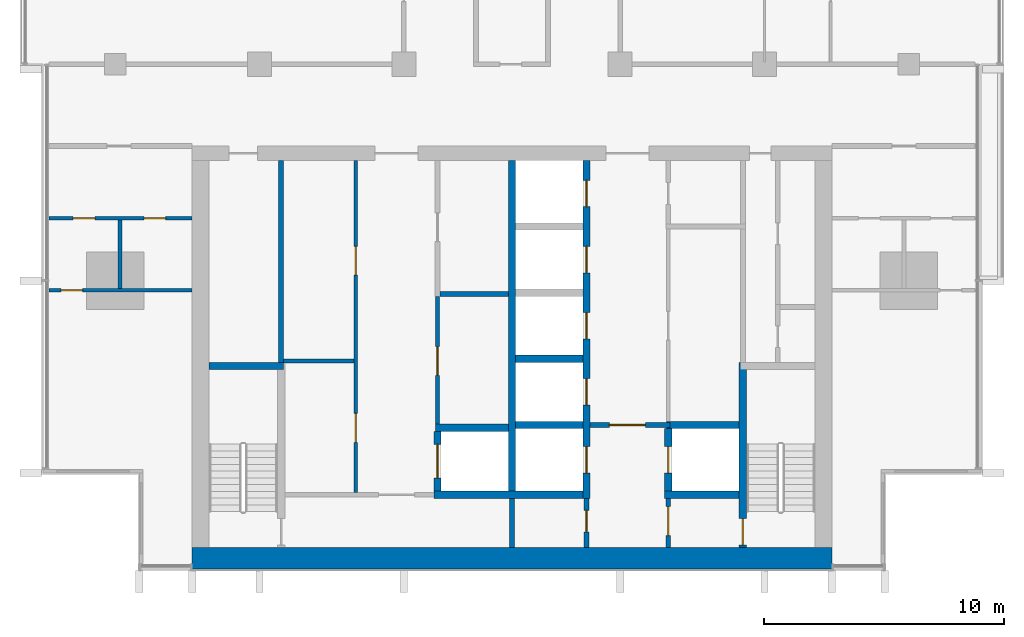
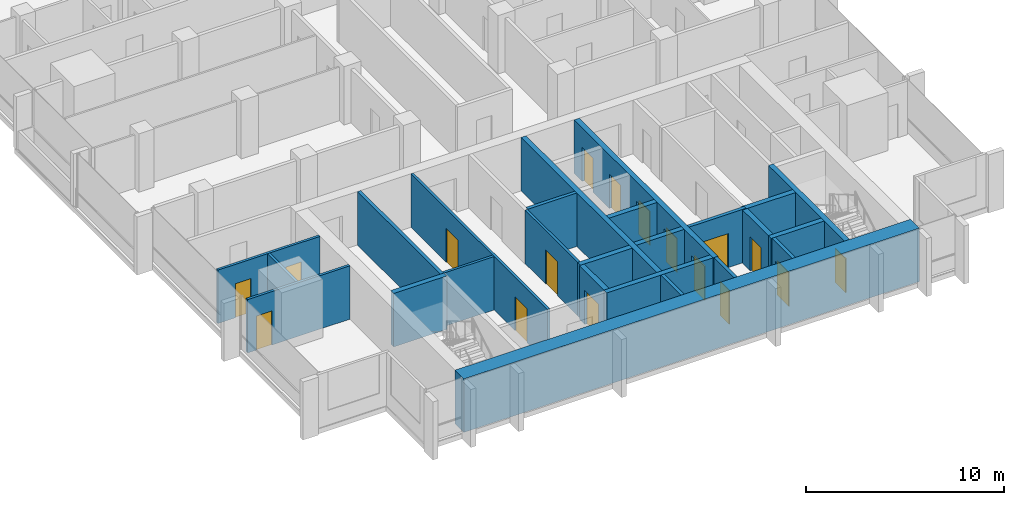
# One storey, part 7 of 16: 25 walls, 17 doors, 17 openings.
"""IFC4 building model written with IfcOpenShell, lengths in metres."""

from ifc_helpers import new_model, si_unit, direction, frame, frame_2d, origin, place, context, subcontext, project, spatial, rectangle, extrude, material, layer, layer_set, type_object, element, fill, save


model = new_model("IFC4")

# Units and contexts
model_context = context("Model", 3, precision=1e-05, world=origin(), true_north=direction((0.0, 1.0)))
body_context = subcontext(model_context, "Body", "Model", "MODEL_VIEW")
ifc_project = project(units=[si_unit("LENGTHUNIT", "METRE"), si_unit("AREAUNIT", "SQUARE_METRE"), si_unit("VOLUMEUNIT", "CUBIC_METRE"), si_unit("PLANEANGLEUNIT", "RADIAN"), si_unit("MASSUNIT", "GRAM", prefix="KILO")], contexts=[model_context])

# Site, building, storey
site_placement = place(None, origin())
site = spatial("IfcSite", under=ifc_project, at=site_placement, CompositionType="ELEMENT")
building_placement = place(site_placement, origin())
building = spatial("IfcBuilding", under=site, at=building_placement, Name="Finial Court Residences", CompositionType="ELEMENT")
storey_placement = place(building_placement, frame((0.0, 0.0, 156.5)))
storey = spatial("IfcBuildingStorey", under=building, at=storey_placement, Name="L38", CompositionType="ELEMENT", Elevation=156.5)

# Wall
ifc_material_1 = material(Name="Fire-rated gypsum board partition")
ifc_layer_1 = layer(ifc_material_1, 0.14990234375)
ifc_layer_set_1 = layer_set([ifc_layer_1], Name="Core room partition 150 EI 60")
wall_type_1 = type_object("IfcWallType", Name="Core room partition 150 EI 60", PredefinedType="PARTITIONING", material=ifc_layer_set_1)
wall_1_placement = place(storey_placement, frame((-9.5, -16.840087890625, 0.0), z_axis=(0.0, 0.0, 1.0), x_axis=(1.0, 0.0, 0.0)))
element("IfcWall", 1, at=wall_1_placement, inside=storey, type_object=wall_type_1, Name="Core partition L38-10", PredefinedType="PARTITIONING", context=body_context, shape_type="SweptSolid", body=[
    extrude(rectangle(XDim=2.925048828125, YDim=0.14990234375, at=frame_2d((1.46240234375, 0.0))), origin(), (0.0, 0.0, 1.0), 3.300048828125),
])

# Wall, openings, doors
wall_2_placement = place(storey_placement, frame((-6.5, -22.300048828125, 0.0), z_axis=(0.0, 0.0, 1.0), x_axis=(0.0, 1.0, 0.0)))
wall_2 = element("IfcWall", 2, at=wall_2_placement, inside=storey, type_object=wall_type_1, Name="Core partition L38-19", PredefinedType="PARTITIONING", context=body_context, shape_type="SweptSolid", body=[
    extrude(rectangle(XDim=13.800048828125, YDim=0.14990234375, at=frame_2d((6.89990234375, 0.0))), origin(), (0.0, 0.0, 1.0), 3.300048828125),
])
opening_1_placement = place(wall_2_placement, frame((2.080078125, 0.0, 0.0)))
opening_1 = element("IfcOpeningElement", 3, at=opening_1_placement, cuts=wall_2, Name="Opening L38-C13", PredefinedType="OPENING", context=body_context, shape_type="SweptSolid", body=[
    extrude(rectangle(XDim=1.199951171875, YDim=2.10009765625, at=frame_2d((0.60009765625, 1.050048828125))), frame((0.0, 0.0849609375, 0.0), z_axis=(0.0, -1.0, 0.0), x_axis=(1.0, 0.0, 0.0)), (0.0, 0.0, 1.0), 0.169921875),
])
opening_2_placement = place(wall_2_placement, frame((9.030029296875, 0.0, 0.0)))
opening_2 = element("IfcOpeningElement", 4, at=opening_2_placement, cuts=wall_2, Name="Opening L38-C14", PredefinedType="OPENING", context=body_context, shape_type="SweptSolid", body=[
    extrude(rectangle(XDim=1.199951171875, YDim=2.10009765625, at=frame_2d((0.60009765625, 1.050048828125))), frame((0.0, 0.0849609375, 0.0), z_axis=(0.0, -1.0, 0.0), x_axis=(1.0, 0.0, 0.0)), (0.0, 0.0, 1.0), 0.169921875),
])
ifc_material_2 = material(Name="Steel fire door", Category="steel")
door_type_1 = type_object("IfcDoorType", Name="Core room door 1200 x 2100 EI 60", OperationType="NOTDEFINED", PredefinedType="DOOR", material=ifc_material_2)
door_1_placement = place(opening_1_placement, origin())
door_1 = element("IfcDoor", 5, at=door_1_placement, inside=storey, type_object=door_type_1, Name="Core room door L38-C13", OperationType="SINGLE_SWING_LEFT", OverallHeight=2.10009765625, OverallWidth=1.199951171875, PredefinedType="DOOR", context=body_context, shape_type="SweptSolid", body=[
    extrude(rectangle(XDim=1.199951171875, YDim=2.10009765625, at=frame_2d((0.60009765625, 1.050048828125))), frame((0.0, 0.02490234375, 0.0), z_axis=(0.0, -1.0, 0.0), x_axis=(1.0, 0.0, 0.0)), (0.0, 0.0, 1.0), 0.050048828125),
])
fill(opening_1, door_1)
door_2_placement = place(opening_2_placement, origin())
door_2 = element("IfcDoor", 6, at=door_2_placement, inside=storey, type_object=door_type_1, Name="Core room door L38-C14", OperationType="SINGLE_SWING_LEFT", OverallHeight=2.10009765625, OverallWidth=1.199951171875, PredefinedType="DOOR", context=body_context, shape_type="SweptSolid", body=[
    extrude(rectangle(XDim=1.199951171875, YDim=2.10009765625, at=frame_2d((0.60009765625, 1.050048828125))), frame((0.0, 0.02490234375, 0.0), z_axis=(0.0, -1.0, 0.0), x_axis=(1.0, 0.0, 0.0)), (0.0, 0.0, 1.0), 0.050048828125),
])
fill(opening_2, door_2)

# Wall, opening, door
wall_3_placement = place(storey_placement, frame((-3.10009765625, -14.159912109375, 0.0), z_axis=(0.0, 0.0, 1.0), x_axis=(0.0, -1.0, 0.0)))
wall_3 = element("IfcWall", 7, at=wall_3_placement, inside=storey, type_object=wall_type_1, Name="Core partition L38-21", PredefinedType="PARTITIONING", context=body_context, shape_type="SweptSolid", body=[
    extrude(rectangle(XDim=5.31005859375, YDim=0.14990234375, at=frame_2d((2.655029296875, 0.0))), origin(), (0.0, 0.0, 1.0), 3.300048828125),
])
opening_3_placement = place(wall_3_placement, frame((2.080078125, 0.0, 0.0)))
opening_3 = element("IfcOpeningElement", 8, at=opening_3_placement, cuts=wall_3, Name="Opening L38-C15", PredefinedType="OPENING", context=body_context, shape_type="SweptSolid", body=[
    extrude(rectangle(XDim=1.199951171875, YDim=2.10009765625, at=frame_2d((0.60009765625, 1.050048828125))), frame((0.0, 0.0849609375, 0.0), z_axis=(0.0, -1.0, 0.0), x_axis=(1.0, 0.0, 0.0)), (0.0, 0.0, 1.0), 0.169921875),
])
door_3_placement = place(opening_3_placement, origin())
door_3 = element("IfcDoor", 9, at=door_3_placement, inside=storey, type_object=door_type_1, Name="Core room door L38-C15", OperationType="SINGLE_SWING_LEFT", OverallHeight=2.10009765625, OverallWidth=1.199951171875, PredefinedType="DOOR", context=body_context, shape_type="SweptSolid", body=[
    extrude(rectangle(XDim=1.199951171875, YDim=2.10009765625, at=frame_2d((0.60009765625, 1.050048828125))), frame((0.0, 0.02490234375, 0.0), z_axis=(0.0, -1.0, 0.0), x_axis=(1.0, 0.0, 0.0)), (0.0, 0.0, 1.0), 0.050048828125),
])
fill(opening_3, door_3)

# Wall
ifc_material_3 = material(Name="Concrete C70/85", Category="concrete")
ifc_layer_2 = layer(ifc_material_3, 0.89990234375)
ifc_layer_set_2 = layer_set([ifc_layer_2], Name="Core south facade wall 900 Concrete C70/85")
wall_type_2 = type_object("IfcWallType", Name="Core south facade wall 900 Concrete C70/85", PredefinedType="SHEAR", material=ifc_layer_set_2)
wall_4_placement = place(storey_placement, frame((-13.300048828125, -25.050048828125, 0.0), z_axis=(0.0, 0.0, 1.0), x_axis=(1.0, 0.0, 0.0)))
element("IfcWall", 10, at=wall_4_placement, inside=storey, type_object=wall_type_2, Name="Core outer wall L38-01", PredefinedType="SHEAR", context=body_context, shape_type="SweptSolid", body=[
    extrude(rectangle(XDim=26.60009765625, YDim=0.89990234375, at=frame_2d((13.300048828125, 0.0))), origin(), (0.0, 0.0, 1.0), 3.300048828125),
])

# Wall, opening, door
ifc_layer_3 = layer(ifc_material_1, 0.199951171875)
ifc_layer_set_3 = layer_set([ifc_layer_3], Name="Firefighting lobby wall 200 EI 120")
wall_type_3 = type_object("IfcWallType", Name="Firefighting lobby wall 200 EI 120", PredefinedType="PARTITIONING", material=ifc_layer_set_3)
wall_5_placement = place(storey_placement, frame((6.574951171875, -19.5, 0.0), z_axis=(0.0, 0.0, 1.0), x_axis=(-1.0, 0.0, 0.0)))
wall_5 = element("IfcWall", 11, at=wall_5_placement, inside=storey, type_object=wall_type_3, Name="Core partition L38-06", PredefinedType="PARTITIONING", context=body_context, shape_type="SweptSolid", body=[
    extrude(rectangle(XDim=3.324951171875, YDim=0.199951171875, at=frame_2d((1.66259765625, 0.0))), origin(), (0.0, 0.0, 1.0), 3.300048828125),
])
opening_4_placement = place(wall_5_placement, frame((1.02490234375, 0.0, 0.0)))
opening_4 = element("IfcOpeningElement", 12, at=opening_4_placement, cuts=wall_5, Name="Opening L38-C02", PredefinedType="OPENING", context=body_context, shape_type="SweptSolid", body=[
    extrude(rectangle(XDim=1.5, YDim=2.10009765625, at=frame_2d((0.75, 1.050048828125))), frame((0.0, 0.10986328125, 0.0), z_axis=(0.0, -1.0, 0.0), x_axis=(1.0, 0.0, 0.0)), (0.0, 0.0, 1.0), 0.219970703125),
])
door_type_2 = type_object("IfcDoorType", Name="Firefighting lobby door 1500 x 2100 EI 90", OperationType="DOUBLE_DOOR_SINGLE_SWING", PredefinedType="DOOR", material=ifc_material_2)
door_4_placement = place(opening_4_placement, origin())
door_4 = element("IfcDoor", 13, at=door_4_placement, inside=storey, type_object=door_type_2, Name="Firefighting lobby door L38-C02", OperationType="DOUBLE_DOOR_SINGLE_SWING", OverallHeight=2.10009765625, OverallWidth=1.5, PredefinedType="DOOR", context=body_context, shape_type="SweptSolid", body=[
    extrude(rectangle(XDim=1.5, YDim=2.10009765625, at=frame_2d((0.75, 1.050048828125))), frame((0.0, 0.02490234375, 0.0), z_axis=(0.0, -1.0, 0.0), x_axis=(1.0, 0.0, 0.0)), (0.0, 0.0, 1.0), 0.050048828125),
])
fill(opening_4, door_4)

wall_6_placement = place(storey_placement, frame((3.10009765625, -24.60009765625, 0.0), z_axis=(0.0, 0.0, 1.0), x_axis=(0.0, 1.0, 0.0)))
wall_6 = element("IfcWall", 14, at=wall_6_placement, inside=storey, type_object=wall_type_3, Name="Core partition L38-25", PredefinedType="PARTITIONING", context=body_context, shape_type="SweptSolid", body=[
    extrude(rectangle(XDim=2.050048828125, YDim=0.199951171875, at=frame_2d((1.02490234375, 0.0))), origin(), (0.0, 0.0, 1.0), 3.300048828125),
])
opening_5_placement = place(wall_6_placement, frame((0.64990234375, 0.0, 0.0)))
opening_5 = element("IfcOpeningElement", 15, at=opening_5_placement, cuts=wall_6, Name="Opening L38-C06", PredefinedType="OPENING", context=body_context, shape_type="SweptSolid", body=[
    extrude(rectangle(XDim=0.89990234375, YDim=2.10009765625, at=frame_2d((0.449951171875, 1.050048828125))), frame((0.0, 0.10986328125, 0.0), z_axis=(0.0, -1.0, 0.0), x_axis=(1.0, 0.0, 0.0)), (0.0, 0.0, 1.0), 0.219970703125),
])
door_type_3 = type_object("IfcDoorType", Name="Riser room door 900 x 2100 EI 90", OperationType="NOTDEFINED", PredefinedType="DOOR", material=ifc_material_2)
door_5_placement = place(opening_5_placement, origin())
door_5 = element("IfcDoor", 16, at=door_5_placement, inside=storey, type_object=door_type_3, Name="Riser room door L38-C06", OperationType="SINGLE_SWING_LEFT", OverallHeight=2.10009765625, OverallWidth=0.89990234375, PredefinedType="DOOR", context=body_context, shape_type="SweptSolid", body=[
    extrude(rectangle(XDim=0.89990234375, YDim=2.10009765625, at=frame_2d((0.449951171875, 1.050048828125))), frame((0.0, 0.02490234375, 0.0), z_axis=(0.0, -1.0, 0.0), x_axis=(1.0, 0.0, 0.0)), (0.0, 0.0, 1.0), 0.050048828125),
])
fill(opening_5, door_5)

wall_7_placement = place(storey_placement, frame((6.5, -22.550048828125, 0.0), z_axis=(0.0, 0.0, 1.0), x_axis=(0.0, -1.0, 0.0)))
wall_7 = element("IfcWall", 17, at=wall_7_placement, inside=storey, type_object=wall_type_3, Name="Core partition L38-27", PredefinedType="PARTITIONING", context=body_context, shape_type="SweptSolid", body=[
    extrude(rectangle(XDim=2.050048828125, YDim=0.199951171875, at=frame_2d((1.02490234375, 0.0))), origin(), (0.0, 0.0, 1.0), 3.300048828125),
])
opening_6_placement = place(wall_7_placement, frame((0.35009765625, 0.0, 0.0)))
opening_6 = element("IfcOpeningElement", 18, at=opening_6_placement, cuts=wall_7, Name="Opening L38-C01", PredefinedType="OPENING", context=body_context, shape_type="SweptSolid", body=[
    extrude(rectangle(XDim=1.199951171875, YDim=2.10009765625, at=frame_2d((0.60009765625, 1.050048828125))), frame((0.0, 0.10986328125, 0.0), z_axis=(0.0, -1.0, 0.0), x_axis=(1.0, 0.0, 0.0)), (0.0, 0.0, 1.0), 0.219970703125),
])
door_type_4 = type_object("IfcDoorType", Name="Firefighting lobby door 1200 x 2100 EI 90", OperationType="NOTDEFINED", PredefinedType="DOOR", material=ifc_material_2)
door_6_placement = place(opening_6_placement, origin())
door_6 = element("IfcDoor", 19, at=door_6_placement, inside=storey, type_object=door_type_4, Name="Firefighting lobby door L38-C01", OperationType="SINGLE_SWING_RIGHT", OverallHeight=2.10009765625, OverallWidth=1.199951171875, PredefinedType="DOOR", context=body_context, shape_type="SweptSolid", body=[
    extrude(rectangle(XDim=1.199951171875, YDim=2.10009765625, at=frame_2d((0.60009765625, 1.050048828125))), frame((0.0, 0.02490234375, 0.0), z_axis=(0.0, -1.0, 0.0), x_axis=(1.0, 0.0, 0.0)), (0.0, 0.0, 1.0), 0.050048828125),
])
fill(opening_6, door_6)

ifc_material_4 = material(Name="Moisture-resistant gypsum board")
ifc_layer_4 = layer(ifc_material_4, 0.012451171875)
ifc_material_5 = material(Name="Mineral wool in light-gauge frame")
ifc_layer_5 = layer(ifc_material_5, 0.125)
ifc_layer_6 = layer(ifc_material_4, 0.012451171875)
ifc_layer_set_4 = layer_set([ifc_layer_4, ifc_layer_5, ifc_layer_6], Name="Gypsum board wet-area partition 150")
wall_type_4 = type_object("IfcWallType", Name="Gypsum board wet-area partition 150", PredefinedType="PARTITIONING", material=ifc_layer_set_4)
wall_8_placement = place(storey_placement, frame((-19.262451171875, -13.89990234375, 0.0), z_axis=(0.0, 0.0, 1.0), x_axis=(1.0, 0.0, 0.0)))
wall_8 = element("IfcWall", 20, at=wall_8_placement, inside=storey, type_object=wall_type_4, Name="Partition L38-000", PredefinedType="PARTITIONING", context=body_context, shape_type="SweptSolid", body=[
    extrude(rectangle(XDim=5.96240234375, YDim=0.14990234375, at=frame_2d((2.981201171875, 0.0))), origin(), (0.0, 0.0, 1.0), 3.300048828125),
])
opening_7_placement = place(wall_8_placement, frame((0.511962890625, 0.0, 0.0)))
opening_7 = element("IfcOpeningElement", 21, at=opening_7_placement, cuts=wall_8, Name="Opening L38-D001", PredefinedType="OPENING", context=body_context, shape_type="SweptSolid", body=[
    extrude(rectangle(XDim=0.89990234375, YDim=2.10009765625, at=frame_2d((0.449951171875, 1.050048828125))), frame((0.0, 0.0849609375, 0.0), z_axis=(0.0, -1.0, 0.0), x_axis=(1.0, 0.0, 0.0)), (0.0, 0.0, 1.0), 0.169921875),
])
ifc_material_6 = material(Name="Timber door leaf in timber frame", Category="wood")
door_type_5 = type_object("IfcDoorType", Name="Door set 900 x 2100", OperationType="SINGLE_SWING_LEFT", PredefinedType="DOOR", material=ifc_material_6)
door_7_placement = place(opening_7_placement, origin())
door_7 = element("IfcDoor", 22, at=door_7_placement, inside=storey, type_object=door_type_5, Name="Door L38-D001", OperationType="SINGLE_SWING_LEFT", OverallHeight=2.10009765625, OverallWidth=0.89990234375, PredefinedType="DOOR", context=body_context, shape_type="SweptSolid", body=[
    extrude(rectangle(XDim=0.89990234375, YDim=2.10009765625, at=frame_2d((0.449951171875, 1.050048828125))), frame((0.0, 0.02490234375, 0.0), z_axis=(0.0, -1.0, 0.0), x_axis=(1.0, 0.0, 0.0)), (0.0, 0.0, 1.0), 0.050048828125),
])
fill(opening_7, door_7)

# Wall, openings, doors
wall_9_placement = place(storey_placement, frame((-19.262451171875, -10.89990234375, 0.0), z_axis=(0.0, 0.0, 1.0), x_axis=(1.0, 0.0, 0.0)))
wall_9 = element("IfcWall", 23, at=wall_9_placement, inside=storey, type_object=wall_type_4, Name="Partition L38-002", PredefinedType="PARTITIONING", context=body_context, shape_type="SweptSolid", body=[
    extrude(rectangle(XDim=5.96240234375, YDim=0.14990234375, at=frame_2d((2.981201171875, 0.0))), origin(), (0.0, 0.0, 1.0), 3.300048828125),
])
opening_8_placement = place(wall_9_placement, frame((1.011962890625, 0.0, 0.0)))
opening_8 = element("IfcOpeningElement", 24, at=opening_8_placement, cuts=wall_9, Name="Opening L38-D003", PredefinedType="OPENING", context=body_context, shape_type="SweptSolid", body=[
    extrude(rectangle(XDim=0.89990234375, YDim=2.10009765625, at=frame_2d((0.449951171875, 1.050048828125))), frame((0.0, 0.0849609375, 0.0), z_axis=(0.0, -1.0, 0.0), x_axis=(1.0, 0.0, 0.0)), (0.0, 0.0, 1.0), 0.169921875),
])
opening_9_placement = place(wall_9_placement, frame((3.962890625, 0.0, 0.0)))
opening_9 = element("IfcOpeningElement", 25, at=opening_9_placement, cuts=wall_9, Name="Opening L38-D004", PredefinedType="OPENING", context=body_context, shape_type="SweptSolid", body=[
    extrude(rectangle(XDim=0.89990234375, YDim=2.10009765625, at=frame_2d((0.449951171875, 1.050048828125))), frame((0.0, 0.0849609375, 0.0), z_axis=(0.0, -1.0, 0.0), x_axis=(1.0, 0.0, 0.0)), (0.0, 0.0, 1.0), 0.169921875),
])
door_8_placement = place(opening_8_placement, origin())
door_8 = element("IfcDoor", 26, at=door_8_placement, inside=storey, type_object=door_type_5, Name="Door L38-D003", OperationType="SINGLE_SWING_LEFT", OverallHeight=2.10009765625, OverallWidth=0.89990234375, PredefinedType="DOOR", context=body_context, shape_type="SweptSolid", body=[
    extrude(rectangle(XDim=0.89990234375, YDim=2.10009765625, at=frame_2d((0.449951171875, 1.050048828125))), frame((0.0, 0.02490234375, 0.0), z_axis=(0.0, -1.0, 0.0), x_axis=(1.0, 0.0, 0.0)), (0.0, 0.0, 1.0), 0.050048828125),
])
fill(opening_8, door_8)
door_9_placement = place(opening_9_placement, origin())
door_9 = element("IfcDoor", 27, at=door_9_placement, inside=storey, type_object=door_type_5, Name="Door L38-D004", OperationType="SINGLE_SWING_RIGHT", OverallHeight=2.10009765625, OverallWidth=0.89990234375, PredefinedType="DOOR", context=body_context, shape_type="SweptSolid", body=[
    extrude(rectangle(XDim=0.89990234375, YDim=2.10009765625, at=frame_2d((0.449951171875, 1.050048828125))), frame((0.0, 0.02490234375, 0.0), z_axis=(0.0, -1.0, 0.0), x_axis=(1.0, 0.0, 0.0)), (0.0, 0.0, 1.0), 0.050048828125),
])
fill(opening_9, door_9)

# Walls
wall_10_placement = place(storey_placement, frame((-16.300048828125, -13.824951171875, 0.0), z_axis=(0.0, 0.0, 1.0), x_axis=(0.0, 1.0, 0.0)))
element("IfcWall", 28, at=wall_10_placement, inside=storey, type_object=wall_type_4, Name="Partition L38-033", PredefinedType="PARTITIONING", context=body_context, shape_type="SweptSolid", body=[
    extrude(rectangle(XDim=2.849853515625, YDim=0.14990234375, at=frame_2d((1.4248046875, 0.0))), origin(), (0.0, 0.0, 1.0), 3.300048828125),
])
ifc_layer_7 = layer(ifc_material_3, 0.300048828125)
ifc_layer_set_5 = layer_set([ifc_layer_7], Name="Lift shaft and stair wall 300 Concrete C70/85")
wall_type_5 = type_object("IfcWallType", Name="Lift shaft and stair wall 300 Concrete C70/85", PredefinedType="SHEAR", material=ifc_layer_set_5)
wall_11_placement = place(storey_placement, frame((-3.25, -22.39990234375, 0.0), z_axis=(0.0, 0.0, 1.0), x_axis=(1.0, 0.0, 0.0)))
element("IfcWall", 29, at=wall_11_placement, inside=storey, type_object=wall_type_5, Name="Core wall L38-02", PredefinedType="SHEAR", context=body_context, shape_type="SweptSolid", body=[
    extrude(rectangle(XDim=6.199951171875, YDim=0.300048828125, at=frame_2d((3.10009765625, 0.0))), origin(), (0.0, 0.0, 1.0), 3.300048828125),
])
wall_12_placement = place(storey_placement, frame((6.35009765625, -22.39990234375, 0.0), z_axis=(0.0, 0.0, 1.0), x_axis=(1.0, 0.0, 0.0)))
element("IfcWall", 30, at=wall_12_placement, inside=storey, type_object=wall_type_5, Name="Core wall L38-03", PredefinedType="SHEAR", context=body_context, shape_type="SweptSolid", body=[
    extrude(rectangle(XDim=3.099853515625, YDim=0.300048828125, at=frame_2d((1.5498046875, 0.0))), origin(), (0.0, 0.0, 1.0), 3.300048828125),
])
wall_13_placement = place(storey_placement, frame((-3.175048828125, -19.6201171875, 0.0), z_axis=(0.0, 0.0, 1.0), x_axis=(1.0, 0.0, 0.0)))
element("IfcWall", 31, at=wall_13_placement, inside=storey, type_object=wall_type_5, Name="Core wall L38-04", PredefinedType="SHEAR", context=body_context, shape_type="SweptSolid", body=[
    extrude(rectangle(XDim=3.025146484375, YDim=0.300048828125, at=frame_2d((1.5126953125, 0.0))), origin(), (0.0, 0.0, 1.0), 3.300048828125),
])
wall_14_placement = place(storey_placement, frame((0.14990234375, -19.5, 0.0), z_axis=(0.0, 0.0, 1.0), x_axis=(1.0, 0.0, 0.0)))
element("IfcWall", 32, at=wall_14_placement, inside=storey, type_object=wall_type_5, Name="Core wall L38-05", PredefinedType="SHEAR", context=body_context, shape_type="SweptSolid", body=[
    extrude(rectangle(XDim=2.800048828125, YDim=0.300048828125, at=frame_2d((1.39990234375, 0.0))), origin(), (0.0, 0.0, 1.0), 3.300048828125),
])
wall_15_placement = place(storey_placement, frame((6.425048828125, -19.5, 0.0), z_axis=(0.0, 0.0, 1.0), x_axis=(1.0, 0.0, 0.0)))
element("IfcWall", 33, at=wall_15_placement, inside=storey, type_object=wall_type_5, Name="Core wall L38-07", PredefinedType="SHEAR", context=body_context, shape_type="SweptSolid", body=[
    extrude(rectangle(XDim=3.02490234375, YDim=0.300048828125, at=frame_2d((1.512451171875, 0.0))), origin(), (0.0, 0.0, 1.0), 3.300048828125),
])
wall_16_placement = place(storey_placement, frame((-12.60009765625, -17.050048828125, 0.0), z_axis=(0.0, 0.0, 1.0), x_axis=(1.0, 0.0, 0.0)))
element("IfcWall", 34, at=wall_16_placement, inside=storey, type_object=wall_type_5, Name="Core wall L38-08", PredefinedType="SHEAR", context=body_context, shape_type="SweptSolid", body=[
    extrude(rectangle(XDim=3.10009765625, YDim=0.300048828125, at=frame_2d((1.550048828125, 0.0))), origin(), (0.0, 0.0, 1.0), 3.300048828125),
])
wall_17_placement = place(storey_placement, frame((0.14990234375, -16.75, 0.0), z_axis=(0.0, 0.0, 1.0), x_axis=(1.0, 0.0, 0.0)))
element("IfcWall", 35, at=wall_17_placement, inside=storey, type_object=wall_type_5, Name="Core wall L38-11", PredefinedType="SHEAR", context=body_context, shape_type="SweptSolid", body=[
    extrude(rectangle(XDim=2.800048828125, YDim=0.300048828125, at=frame_2d((1.39990234375, 0.0))), origin(), (0.0, 0.0, 1.0), 3.300048828125),
])

# Wall, opening, door
wall_18_placement = place(storey_placement, frame((-3.10009765625, -22.25, 0.0), z_axis=(0.0, 0.0, 1.0), x_axis=(0.0, 1.0, 0.0)))
wall_18 = element("IfcWall", 36, at=wall_18_placement, inside=storey, type_object=wall_type_5, Name="Core wall L38-20", PredefinedType="SHEAR", context=body_context, shape_type="SweptSolid", body=[
    extrude(rectangle(XDim=2.47998046875, YDim=0.300048828125, at=frame_2d((1.239990234375, 0.0))), origin(), (0.0, 0.0, 1.0), 3.300048828125),
])
opening_10_placement = place(wall_18_placement, frame((0.5400390625, 0.0, 0.0)))
opening_10 = element("IfcOpeningElement", 37, at=opening_10_placement, cuts=wall_18, Name="Opening L38-LD07", PredefinedType="OPENING", context=body_context, shape_type="SweptSolid", body=[
    extrude(rectangle(XDim=1.39990234375, YDim=2.10009765625, at=frame_2d((0.699951171875, 1.050048828125))), frame((0.0, 0.159912109375, 0.0), z_axis=(0.0, -1.0, 0.0), x_axis=(1.0, 0.0, 0.0)), (0.0, 0.0, 1.0), 0.320068359375),
])
ifc_material_7 = material(Name="Stainless steel lift door", Category="steel")
door_type_6 = type_object("IfcDoorType", Name="Lift landing door 1400 x 2100 EI 90", OperationType="DOUBLE_DOOR_SLIDING", PredefinedType="DOOR", material=ifc_material_7)
door_10_placement = place(opening_10_placement, origin())
door_10 = element("IfcDoor", 38, at=door_10_placement, inside=storey, type_object=door_type_6, Name="Lift landing door SV1 L38", OperationType="DOUBLE_DOOR_SLIDING", OverallHeight=2.10009765625, OverallWidth=1.39990234375, PredefinedType="DOOR", context=body_context, shape_type="SweptSolid", body=[
    extrude(rectangle(XDim=1.39990234375, YDim=2.10009765625, at=frame_2d((0.699951171875, 1.050048828125))), frame((0.0, 0.02490234375, 0.0), z_axis=(0.0, -1.0, 0.0), x_axis=(1.0, 0.0, 0.0)), (0.0, 0.0, 1.0), 0.050048828125),
])
fill(opening_10, door_10)

# Wall
wall_19_placement = place(storey_placement, frame((0.0, -22.25, 0.0), z_axis=(0.0, 0.0, 1.0), x_axis=(0.0, 1.0, 0.0)))
element("IfcWall", 39, at=wall_19_placement, inside=storey, type_object=wall_type_5, Name="Core wall L38-24", PredefinedType="SHEAR", context=body_context, shape_type="SweptSolid", body=[
    extrude(rectangle(XDim=13.75, YDim=0.300048828125, at=frame_2d((6.875, 0.0))), origin(), (0.0, 0.0, 1.0), 3.300048828125),
])

# Wall, openings, doors
wall_20_placement = place(storey_placement, frame((3.10009765625, -22.550048828125, 0.0), z_axis=(0.0, 0.0, 1.0), x_axis=(0.0, 1.0, 0.0)))
wall_20 = element("IfcWall", 40, at=wall_20_placement, inside=storey, type_object=wall_type_5, Name="Core wall L38-26", PredefinedType="SHEAR", context=body_context, shape_type="SweptSolid", body=[
    extrude(rectangle(XDim=14.050048828125, YDim=0.300048828125, at=frame_2d((7.02490234375, 0.0))), origin(), (0.0, 0.0, 1.0), 3.300048828125),
])
opening_11_placement = place(wall_20_placement, frame((1.050048828125, 0.0, 0.0)))
opening_11 = element("IfcOpeningElement", 41, at=opening_11_placement, cuts=wall_20, Name="Opening L38-LD01", PredefinedType="OPENING", context=body_context, shape_type="SweptSolid", body=[
    extrude(rectangle(XDim=1.10009765625, YDim=2.10009765625, at=frame_2d((0.550048828125, 1.050048828125))), frame((0.0, 0.159912109375, 0.0), z_axis=(0.0, -1.0, 0.0), x_axis=(1.0, 0.0, 0.0)), (0.0, 0.0, 1.0), 0.320068359375),
])
opening_12_placement = place(wall_20_placement, frame((3.875, 0.0, 0.0)))
opening_12 = element("IfcOpeningElement", 42, at=opening_12_placement, cuts=wall_20, Name="Opening L38-LD03", PredefinedType="OPENING", context=body_context, shape_type="SweptSolid", body=[
    extrude(rectangle(XDim=1.10009765625, YDim=2.10009765625, at=frame_2d((0.550048828125, 1.050048828125))), frame((0.0, 0.159912109375, 0.0), z_axis=(0.0, -1.0, 0.0), x_axis=(1.0, 0.0, 0.0)), (0.0, 0.0, 1.0), 0.320068359375),
])
opening_13_placement = place(wall_20_placement, frame((6.625, 0.0, 0.0)))
opening_13 = element("IfcOpeningElement", 43, at=opening_13_placement, cuts=wall_20, Name="Opening L38-LD04", PredefinedType="OPENING", context=body_context, shape_type="SweptSolid", body=[
    extrude(rectangle(XDim=1.10009765625, YDim=2.10009765625, at=frame_2d((0.550048828125, 1.050048828125))), frame((0.0, 0.159912109375, 0.0), z_axis=(0.0, -1.0, 0.0), x_axis=(1.0, 0.0, 0.0)), (0.0, 0.0, 1.0), 0.320068359375),
])
opening_14_placement = place(wall_20_placement, frame((9.375, 0.0, 0.0)))
opening_14 = element("IfcOpeningElement", 44, at=opening_14_placement, cuts=wall_20, Name="Opening L38-LD05", PredefinedType="OPENING", context=body_context, shape_type="SweptSolid", body=[
    extrude(rectangle(XDim=1.10009765625, YDim=2.10009765625, at=frame_2d((0.550048828125, 1.050048828125))), frame((0.0, 0.159912109375, 0.0), z_axis=(0.0, -1.0, 0.0), x_axis=(1.0, 0.0, 0.0)), (0.0, 0.0, 1.0), 0.320068359375),
])
opening_15_placement = place(wall_20_placement, frame((12.125, 0.0, 0.0)))
opening_15 = element("IfcOpeningElement", 45, at=opening_15_placement, cuts=wall_20, Name="Opening L38-LD06", PredefinedType="OPENING", context=body_context, shape_type="SweptSolid", body=[
    extrude(rectangle(XDim=1.10009765625, YDim=2.10009765625, at=frame_2d((0.550048828125, 1.050048828125))), frame((0.0, 0.159912109375, 0.0), z_axis=(0.0, -1.0, 0.0), x_axis=(1.0, 0.0, 0.0)), (0.0, 0.0, 1.0), 0.320068359375),
])
door_type_7 = type_object("IfcDoorType", Name="Lift landing door 1100 x 2100 EI 90", OperationType="DOUBLE_DOOR_SLIDING", PredefinedType="DOOR", material=ifc_material_7)
door_11_placement = place(opening_11_placement, origin())
door_11 = element("IfcDoor", 46, at=door_11_placement, inside=storey, type_object=door_type_7, Name="Lift landing door FF1 L38", OperationType="DOUBLE_DOOR_SLIDING", OverallHeight=2.10009765625, OverallWidth=1.10009765625, PredefinedType="DOOR", context=body_context, shape_type="SweptSolid", body=[
    extrude(rectangle(XDim=1.10009765625, YDim=2.10009765625, at=frame_2d((0.550048828125, 1.050048828125))), frame((0.0, 0.02490234375, 0.0), z_axis=(0.0, -1.0, 0.0), x_axis=(1.0, 0.0, 0.0)), (0.0, 0.0, 1.0), 0.050048828125),
])
fill(opening_11, door_11)
door_12_placement = place(opening_12_placement, origin())
door_12 = element("IfcDoor", 47, at=door_12_placement, inside=storey, type_object=door_type_7, Name="Lift landing door HR1 L38", OperationType="DOUBLE_DOOR_SLIDING", OverallHeight=2.10009765625, OverallWidth=1.10009765625, PredefinedType="DOOR", context=body_context, shape_type="SweptSolid", body=[
    extrude(rectangle(XDim=1.10009765625, YDim=2.10009765625, at=frame_2d((0.550048828125, 1.050048828125))), frame((0.0, 0.02490234375, 0.0), z_axis=(0.0, -1.0, 0.0), x_axis=(1.0, 0.0, 0.0)), (0.0, 0.0, 1.0), 0.050048828125),
])
fill(opening_12, door_12)
door_13_placement = place(opening_13_placement, origin())
door_13 = element("IfcDoor", 48, at=door_13_placement, inside=storey, type_object=door_type_7, Name="Lift landing door HR2 L38", OperationType="DOUBLE_DOOR_SLIDING", OverallHeight=2.10009765625, OverallWidth=1.10009765625, PredefinedType="DOOR", context=body_context, shape_type="SweptSolid", body=[
    extrude(rectangle(XDim=1.10009765625, YDim=2.10009765625, at=frame_2d((0.550048828125, 1.050048828125))), frame((0.0, 0.02490234375, 0.0), z_axis=(0.0, -1.0, 0.0), x_axis=(1.0, 0.0, 0.0)), (0.0, 0.0, 1.0), 0.050048828125),
])
fill(opening_13, door_13)
door_14_placement = place(opening_14_placement, origin())
door_14 = element("IfcDoor", 49, at=door_14_placement, inside=storey, type_object=door_type_7, Name="Lift landing door HR3 L38", OperationType="DOUBLE_DOOR_SLIDING", OverallHeight=2.10009765625, OverallWidth=1.10009765625, PredefinedType="DOOR", context=body_context, shape_type="SweptSolid", body=[
    extrude(rectangle(XDim=1.10009765625, YDim=2.10009765625, at=frame_2d((0.550048828125, 1.050048828125))), frame((0.0, 0.02490234375, 0.0), z_axis=(0.0, -1.0, 0.0), x_axis=(1.0, 0.0, 0.0)), (0.0, 0.0, 1.0), 0.050048828125),
])
fill(opening_14, door_14)
door_15_placement = place(opening_15_placement, origin())
door_15 = element("IfcDoor", 50, at=door_15_placement, inside=storey, type_object=door_type_7, Name="Lift landing door HR4 L38", OperationType="DOUBLE_DOOR_SLIDING", OverallHeight=2.10009765625, OverallWidth=1.10009765625, PredefinedType="DOOR", context=body_context, shape_type="SweptSolid", body=[
    extrude(rectangle(XDim=1.10009765625, YDim=2.10009765625, at=frame_2d((0.550048828125, 1.050048828125))), frame((0.0, 0.02490234375, 0.0), z_axis=(0.0, -1.0, 0.0), x_axis=(1.0, 0.0, 0.0)), (0.0, 0.0, 1.0), 0.050048828125),
])
fill(opening_15, door_15)

# Wall, opening, door
wall_21_placement = place(storey_placement, frame((6.5, -22.25, 0.0), z_axis=(0.0, 0.0, 1.0), x_axis=(0.0, 1.0, 0.0)))
wall_21 = element("IfcWall", 51, at=wall_21_placement, inside=storey, type_object=wall_type_5, Name="Core wall L38-28", PredefinedType="SHEAR", context=body_context, shape_type="SweptSolid", body=[
    extrude(rectangle(XDim=2.60009765625, YDim=0.300048828125, at=frame_2d((1.300048828125, 0.0))), origin(), (0.0, 0.0, 1.0), 3.300048828125),
])
opening_16_placement = place(wall_21_placement, frame((0.75, 0.0, 0.0)))
opening_16 = element("IfcOpeningElement", 52, at=opening_16_placement, cuts=wall_21, Name="Opening L38-LD02", PredefinedType="OPENING", context=body_context, shape_type="SweptSolid", body=[
    extrude(rectangle(XDim=1.10009765625, YDim=2.10009765625, at=frame_2d((0.550048828125, 1.050048828125))), frame((0.0, 0.159912109375, 0.0), z_axis=(0.0, -1.0, 0.0), x_axis=(1.0, 0.0, 0.0)), (0.0, 0.0, 1.0), 0.320068359375),
])
door_16_placement = place(opening_16_placement, origin())
door_16 = element("IfcDoor", 53, at=door_16_placement, inside=storey, type_object=door_type_7, Name="Lift landing door FF2 L38", OperationType="DOUBLE_DOOR_SLIDING", OverallHeight=2.10009765625, OverallWidth=1.10009765625, PredefinedType="DOOR", context=body_context, shape_type="SweptSolid", body=[
    extrude(rectangle(XDim=1.10009765625, YDim=2.10009765625, at=frame_2d((0.550048828125, 1.050048828125))), frame((0.0, 0.02490234375, 0.0), z_axis=(0.0, -1.0, 0.0), x_axis=(1.0, 0.0, 0.0)), (0.0, 0.0, 1.0), 0.050048828125),
])
fill(opening_16, door_16)

wall_22_placement = place(storey_placement, frame((9.60009765625, -16.89990234375, 0.0), z_axis=(0.0, 0.0, 1.0), x_axis=(0.0, -1.0, 0.0)))
wall_22 = element("IfcWall", 54, at=wall_22_placement, inside=storey, type_object=wall_type_5, Name="Core wall L38-31", PredefinedType="SHEAR", context=body_context, shape_type="SweptSolid", body=[
    extrude(rectangle(XDim=7.7001953125, YDim=0.300048828125, at=frame_2d((3.85009765625, 0.0))), origin(), (0.0, 0.0, 1.0), 3.300048828125),
])
opening_17_placement = place(wall_22_placement, frame((6.5, 0.0, 0.0)))
opening_17 = element("IfcOpeningElement", 55, at=opening_17_placement, cuts=wall_22, Name="Opening L38-C18", PredefinedType="OPENING", context=body_context, shape_type="SweptSolid", body=[
    extrude(rectangle(XDim=1.10009765625, YDim=2.10009765625, at=frame_2d((0.550048828125, 1.050048828125))), frame((0.0, 0.159912109375, 0.0), z_axis=(0.0, -1.0, 0.0), x_axis=(1.0, 0.0, 0.0)), (0.0, 0.0, 1.0), 0.320068359375),
])
door_type_8 = type_object("IfcDoorType", Name="Stair door 1100 x 2100 EI 90", OperationType="NOTDEFINED", PredefinedType="DOOR", material=ifc_material_2)
door_17_placement = place(opening_17_placement, origin())
door_17 = element("IfcDoor", 56, at=door_17_placement, inside=storey, type_object=door_type_8, Name="Stair door L38-C18", OperationType="SINGLE_SWING_RIGHT", OverallHeight=2.10009765625, OverallWidth=1.10009765625, PredefinedType="DOOR", context=body_context, shape_type="SweptSolid", body=[
    extrude(rectangle(XDim=1.10009765625, YDim=2.10009765625, at=frame_2d((0.550048828125, 1.050048828125))), frame((0.0, 0.02490234375, 0.0), z_axis=(0.0, -1.0, 0.0), x_axis=(1.0, 0.0, 0.0)), (0.0, 0.0, 1.0), 0.050048828125),
])
fill(opening_17, door_17)

# Walls
ifc_layer_8 = layer(ifc_material_1, 0.199951171875)
ifc_layer_set_6 = layer_set([ifc_layer_8], Name="Riser room wall 200 EI 120")
wall_type_6 = type_object("IfcWallType", Name="Riser room wall 200 EI 120", PredefinedType="PARTITIONING", material=ifc_layer_set_6)
wall_23_placement = place(storey_placement, frame((-3.0, -14.06005859375, 0.0), z_axis=(0.0, 0.0, 1.0), x_axis=(1.0, 0.0, 0.0)))
element("IfcWall", 57, at=wall_23_placement, inside=storey, type_object=wall_type_6, Name="Core partition L38-13", PredefinedType="PARTITIONING", context=body_context, shape_type="SweptSolid", body=[
    extrude(rectangle(XDim=2.85009765625, YDim=0.199951171875, at=frame_2d((1.425048828125, 0.0))), origin(), (0.0, 0.0, 1.0), 3.300048828125),
])
wall_24_placement = place(storey_placement, frame((-9.60009765625, -16.89990234375, 0.0), z_axis=(0.0, 0.0, 1.0), x_axis=(0.0, 1.0, 0.0)))
element("IfcWall", 58, at=wall_24_placement, inside=storey, type_object=wall_type_6, Name="Core partition L38-18", PredefinedType="PARTITIONING", context=body_context, shape_type="SweptSolid", body=[
    extrude(rectangle(XDim=8.39990234375, YDim=0.199951171875, at=frame_2d((4.199951171875, 0.0))), origin(), (0.0, 0.0, 1.0), 3.300048828125),
])
wall_25_placement = place(storey_placement, frame((0.0, -24.60009765625, 0.0), z_axis=(0.0, 0.0, 1.0), x_axis=(0.0, 1.0, 0.0)))
element("IfcWall", 59, at=wall_25_placement, inside=storey, type_object=wall_type_6, Name="Core partition L38-23", PredefinedType="PARTITIONING", context=body_context, shape_type="SweptSolid", body=[
    extrude(rectangle(XDim=2.050048828125, YDim=0.199951171875, at=frame_2d((1.02490234375, 0.0))), origin(), (0.0, 0.0, 1.0), 3.300048828125),
])

save(model, "model.ifc")
